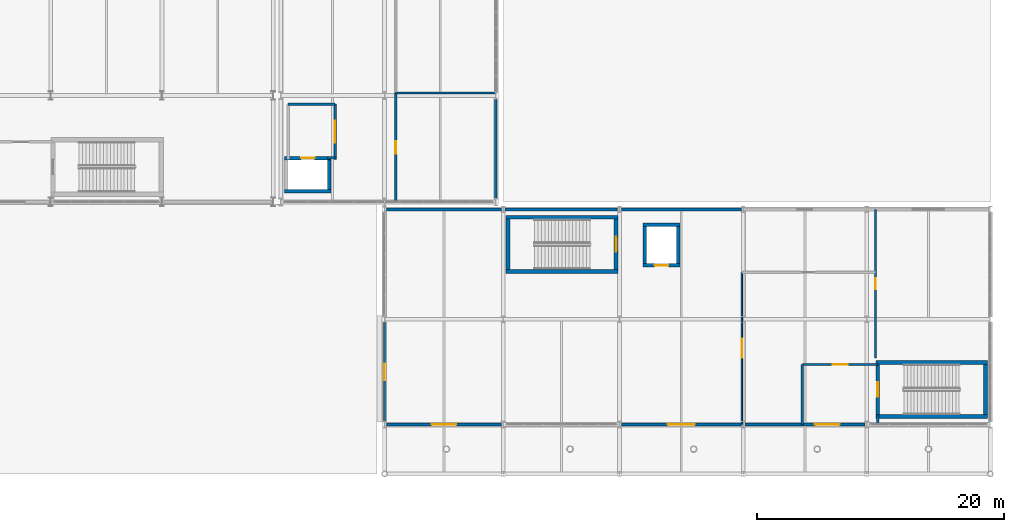
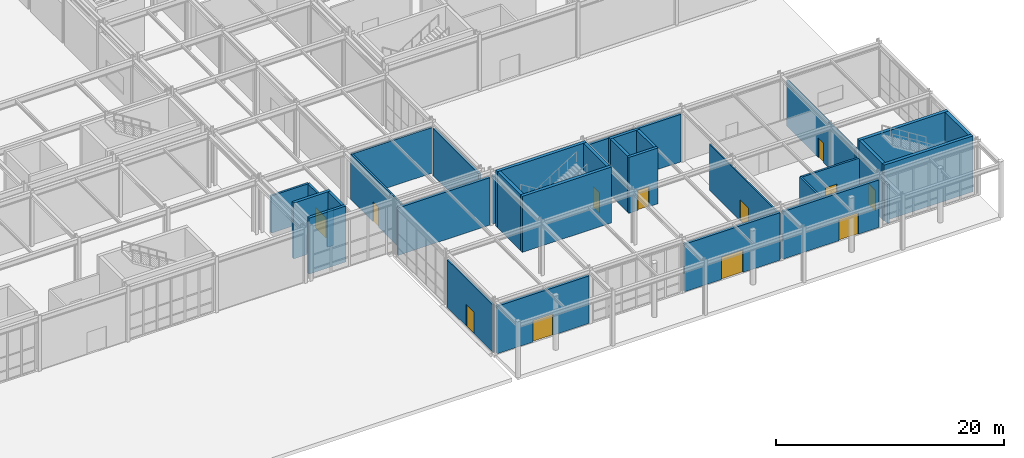
# One storey, part 124 of 146: 33 walls, 13 doors, 13 openings.
"""IFC4 building model written with IfcOpenShell, lengths in metres."""

from ifc_helpers import new_model, si_unit, direction, frame, frame_2d, origin, place, context, subcontext, project, spatial, rectangle, extrude, material, layer, layer_set, type_object, element, fill, save


model = new_model("IFC4")

# Units and contexts
model_context = context("Model", 3, precision=1e-05, world=origin(), true_north=direction((0.0, 1.0)))
body_context = subcontext(model_context, "Body", "Model", "MODEL_VIEW")
ifc_project = project(units=[si_unit("LENGTHUNIT", "METRE"), si_unit("AREAUNIT", "SQUARE_METRE"), si_unit("VOLUMEUNIT", "CUBIC_METRE"), si_unit("PLANEANGLEUNIT", "RADIAN"), si_unit("MASSUNIT", "GRAM", prefix="KILO")], contexts=[model_context])

# Site, building, storey
site_placement = place(None, origin())
site = spatial("IfcSite", under=ifc_project, at=site_placement, CompositionType="ELEMENT")
building_placement = place(site_placement, origin())
building = spatial("IfcBuilding", under=site, at=building_placement, Name="Kaldris Quays Convention Centre", CompositionType="ELEMENT")
storey_placement = place(building_placement, origin())
storey = spatial("IfcBuildingStorey", under=building, at=storey_placement, Name="L00", CompositionType="ELEMENT", Elevation=0.0)

# Wall, opening, door
ifc_material_1 = material(Name="Basalt stone ashlar cladding", Category="masonry")
ifc_layer_1 = layer(ifc_material_1, 0.241943359375)
ifc_layer_set_1 = layer_set([ifc_layer_1], Name="Basalt stone ashlar cladding")
wall_type_1 = type_object("IfcWallType", Name="EXTERIOR WALL EW05", PredefinedType="STANDARD", material=ifc_layer_set_1)
wall_1_placement = place(storey_placement, frame((155.14599609375, 20.0, 0.0), z_axis=(0.0, 0.0, 1.0), x_axis=(1.0, 0.0, 0.0)))
wall_1 = element("IfcWall", 1, at=wall_1_placement, inside=storey, type_object=wall_type_1, Name="L00 Exterior Wall EW05 360", PredefinedType="STANDARD", context=body_context, shape_type="SweptSolid", body=[
    extrude(rectangle(XDim=9.30810546875, YDim=0.241943359375, at=frame_2d((4.654052734375, 0.0))), origin(), (0.0, 0.0, 1.0), 5.10009765625),
])
opening_1_placement = place(wall_1_placement, frame((3.654052734375, 0.0, 0.0)))
opening_1 = element("IfcOpeningElement", 2, at=opening_1_placement, cuts=wall_1, Name="Opening ED01", PredefinedType="OPENING", context=body_context, shape_type="SweptSolid", body=[
    extrude(rectangle(XDim=2.0, YDim=2.300048828125, at=frame_2d((1.0, 1.14990234375))), frame((0.0, 0.130859375, 0.0), z_axis=(0.0, -1.0, 0.0), x_axis=(1.0, 0.0, 0.0)), (0.0, 0.0, 1.0), 0.261962890625),
])
ifc_material_2 = material(Name="Thermally broken anodized aluminium and laminated safety glass", Category="aluminium")
door_type_1 = type_object("IfcDoorType", Name="EXTERIOR DOOR ED01", OperationType="DOUBLE_DOOR_SINGLE_SWING", PredefinedType="DOOR", material=ifc_material_2)
door_1_placement = place(opening_1_placement, frame((2.0, 0.0, 0.0), z_axis=(0.0, 0.0, 1.0), x_axis=(-1.0, 0.0, 0.0)))
door_1 = element("IfcDoor", 3, at=door_1_placement, inside=storey, type_object=door_type_1, Name="L00 Exterior Exit Door ED01 37", OperationType="DOUBLE_DOOR_SINGLE_SWING", OverallHeight=2.300048828125, OverallWidth=2.0, PredefinedType="DOOR", context=body_context, shape_type="SweptSolid", body=[
    extrude(rectangle(XDim=2.0, YDim=2.300048828125, at=frame_2d((1.0, 1.14990234375))), frame((0.0, 0.02490234375, 0.0), z_axis=(0.0, -1.0, 0.0), x_axis=(1.0, 0.0, 0.0)), (0.0, 0.0, 1.0), 0.050048828125),
])
fill(opening_1, door_1)

# Walls
wall_2_placement = place(storey_placement, frame((155.14599609375, 37.39990234375, 0.0), z_axis=(0.0, 0.0, 1.0), x_axis=(1.0, 0.0, 0.0)))
element("IfcWall", 4, at=wall_2_placement, inside=storey, type_object=wall_type_1, Name="L00 Exterior Wall EW05 361", PredefinedType="STANDARD", context=body_context, shape_type="SweptSolid", body=[
    extrude(rectangle(XDim=9.30810546875, YDim=0.241943359375, at=frame_2d((4.654052734375, 0.0))), origin(), (0.0, 0.0, 1.0), 5.10009765625),
])
wall_3_placement = place(storey_placement, frame((164.74609375, 37.39990234375, 0.0), z_axis=(0.0, 0.0, 1.0), x_axis=(1.0, 0.0, 0.0)))
element("IfcWall", 5, at=wall_3_placement, inside=storey, type_object=wall_type_1, Name="L00 Exterior Wall EW05 362", PredefinedType="STANDARD", context=body_context, shape_type="SweptSolid", body=[
    extrude(rectangle(XDim=9.10791015625, YDim=0.241943359375, at=frame_2d((4.553955078125, 0.0))), origin(), (0.0, 0.0, 1.0), 5.10009765625),
])

# Wall, opening, door
wall_4_placement = place(storey_placement, frame((174.14599609375, 20.0, 0.0), z_axis=(0.0, 0.0, 1.0), x_axis=(1.0, 0.0, 0.0)))
wall_4 = element("IfcWall", 6, at=wall_4_placement, inside=storey, type_object=wall_type_1, Name="L00 Exterior Wall EW05 363", PredefinedType="STANDARD", context=body_context, shape_type="SweptSolid", body=[
    extrude(rectangle(XDim=9.7080078125, YDim=0.241943359375, at=frame_2d((4.85400390625, 0.0))), origin(), (0.0, 0.0, 1.0), 5.10009765625),
])
opening_2_placement = place(wall_4_placement, frame((3.75390625, 0.0, 0.0)))
opening_2 = element("IfcOpeningElement", 7, at=opening_2_placement, cuts=wall_4, Name="Opening ED02", PredefinedType="OPENING", context=body_context, shape_type="SweptSolid", body=[
    extrude(rectangle(XDim=2.199951171875, YDim=2.39990234375, at=frame_2d((1.10009765625, 1.199951171875))), frame((0.0, 0.130859375, 0.0), z_axis=(0.0, -1.0, 0.0), x_axis=(1.0, 0.0, 0.0)), (0.0, 0.0, 1.0), 0.261962890625),
])
door_type_2 = type_object("IfcDoorType", Name="EXTERIOR DOOR ED02", OperationType="DOUBLE_DOOR_SINGLE_SWING", PredefinedType="DOOR", material=ifc_material_2)
door_2_placement = place(opening_2_placement, frame((2.199951171875, 0.0, 0.0), z_axis=(0.0, 0.0, 1.0), x_axis=(-1.0, 0.0, 0.0)))
door_2 = element("IfcDoor", 8, at=door_2_placement, inside=storey, type_object=door_type_2, Name="L00 Exterior Exit Door ED02 38", OperationType="DOUBLE_DOOR_SINGLE_SWING", OverallHeight=2.39990234375, OverallWidth=2.199951171875, PredefinedType="DOOR", context=body_context, shape_type="SweptSolid", body=[
    extrude(rectangle(XDim=2.199951171875, YDim=2.39990234375, at=frame_2d((1.10009765625, 1.199951171875))), frame((0.0, 0.02490234375, 0.0), z_axis=(0.0, -1.0, 0.0), x_axis=(1.0, 0.0, 0.0)), (0.0, 0.0, 1.0), 0.050048828125),
])
fill(opening_2, door_2)

# Wall
wall_5_placement = place(storey_placement, frame((174.14599609375, 37.39990234375, 0.0), z_axis=(0.0, 0.0, 1.0), x_axis=(1.0, 0.0, 0.0)))
element("IfcWall", 9, at=wall_5_placement, inside=storey, type_object=wall_type_1, Name="L00 Exterior Wall EW05 364", PredefinedType="STANDARD", context=body_context, shape_type="SweptSolid", body=[
    extrude(rectangle(XDim=9.7080078125, YDim=0.241943359375, at=frame_2d((4.85400390625, 0.0))), origin(), (0.0, 0.0, 1.0), 5.10009765625),
])

# Wall, opening, door
wall_6_placement = place(storey_placement, frame((184.14599609375, 20.0, 0.0), z_axis=(0.0, 0.0, 1.0), x_axis=(1.0, 0.0, 0.0)))
wall_6 = element("IfcWall", 10, at=wall_6_placement, inside=storey, type_object=wall_type_1, Name="L00 Exterior Wall EW05 365", PredefinedType="STANDARD", context=body_context, shape_type="SweptSolid", body=[
    extrude(rectangle(XDim=9.7080078125, YDim=0.241943359375, at=frame_2d((4.85400390625, 0.0))), origin(), (0.0, 0.0, 1.0), 5.10009765625),
])
opening_3_placement = place(wall_6_placement, frame((5.656005859375, 0.0, 0.0)))
opening_3 = element("IfcOpeningElement", 11, at=opening_3_placement, cuts=wall_6, Name="Opening ED01", PredefinedType="OPENING", context=body_context, shape_type="SweptSolid", body=[
    extrude(rectangle(XDim=2.0, YDim=2.300048828125, at=frame_2d((1.0, 1.14990234375))), frame((0.0, 0.130859375, 0.0), z_axis=(0.0, -1.0, 0.0), x_axis=(1.0, 0.0, 0.0)), (0.0, 0.0, 1.0), 0.261962890625),
])
door_3_placement = place(opening_3_placement, frame((2.0, 0.0, 0.0), z_axis=(0.0, 0.0, 1.0), x_axis=(-1.0, 0.0, 0.0)))
door_3 = element("IfcDoor", 12, at=door_3_placement, inside=storey, type_object=door_type_1, Name="L00 Stair ST16 Final Exterior Exit Door ED01", OperationType="DOUBLE_DOOR_SINGLE_SWING", OverallHeight=2.300048828125, OverallWidth=2.0, PredefinedType="DOOR", context=body_context, shape_type="SweptSolid", body=[
    extrude(rectangle(XDim=2.0, YDim=2.300048828125, at=frame_2d((1.0, 1.14990234375))), frame((0.0, 0.02490234375, 0.0), z_axis=(0.0, -1.0, 0.0), x_axis=(1.0, 0.0, 0.0)), (0.0, 0.0, 1.0), 0.050048828125),
])
fill(opening_3, door_3)

# Wall
ifc_material_3 = material(Name="Anodized aluminium insulated cassette", Category="aluminium")
ifc_layer_2 = layer(ifc_material_3, 0.221923828125)
ifc_layer_set_2 = layer_set([ifc_layer_2], Name="Anodized aluminium insulated cassette")
wall_type_2 = type_object("IfcWallType", Name="EXTERIOR WALL EW06", PredefinedType="STANDARD", material=ifc_layer_set_2)
wall_7_placement = place(storey_placement, frame((164.0, 38.2958984375, 0.0), z_axis=(0.0, 0.0, 1.0), x_axis=(0.0, 1.0, 0.0)))
element("IfcWall", 13, at=wall_7_placement, inside=storey, type_object=wall_type_2, Name="L00 Exterior Wall EW06 268", PredefinedType="STANDARD", context=body_context, shape_type="SweptSolid", body=[
    extrude(rectangle(XDim=8.008056640625, YDim=0.221923828125, at=frame_2d((4.00390625, 0.0))), origin(), (0.0, 0.0, 1.0), 5.097900390625),
])

# Wall, opening, door
ifc_layer_3 = layer(ifc_material_3, 0.18408203125)
ifc_layer_set_3 = layer_set([ifc_layer_3], Name="Anodized aluminium insulated cassette")
wall_type_3 = type_object("IfcWallType", Name="EXTERIOR WALL EW08", PredefinedType="STANDARD", material=ifc_layer_set_3)
wall_8_placement = place(storey_placement, frame((155.0, 20.24609375, 0.0), z_axis=(0.0, 0.0, 1.0), x_axis=(0.0, 1.0, 0.0)))
wall_8 = element("IfcWall", 14, at=wall_8_placement, inside=storey, type_object=wall_type_3, Name="L00 Exterior Wall EW08 368", PredefinedType="STANDARD", context=body_context, shape_type="SweptSolid", body=[
    extrude(rectangle(XDim=8.0078125, YDim=0.18408203125, at=frame_2d((4.00390625, 0.0))), origin(), (0.0, 0.0, 1.0), 5.10009765625),
])
opening_4_placement = place(wall_8_placement, frame((3.3291015625, 0.0, 0.0)))
opening_4 = element("IfcOpeningElement", 15, at=opening_4_placement, cuts=wall_8, Name="Opening ED12", PredefinedType="OPENING", context=body_context, shape_type="SweptSolid", body=[
    extrude(rectangle(XDim=1.35009765625, YDim=2.320068359375, at=frame_2d((0.675048828125, 1.16015625))), frame((0.0, 0.10205078125, 0.0), z_axis=(0.0, -1.0, 0.0), x_axis=(1.0, 0.0, 0.0)), (0.0, 0.0, 1.0), 0.2041015625),
])
door_type_3 = type_object("IfcDoorType", Name="EXTERIOR DOOR ED12", OperationType="NOTDEFINED", PredefinedType="DOOR", material=ifc_material_2)
door_4_placement = place(opening_4_placement, origin())
door_4 = element("IfcDoor", 16, at=door_4_placement, inside=storey, type_object=door_type_3, Name="L00 Exterior Exit Door ED12 40", OperationType="SINGLE_SWING_LEFT", OverallHeight=2.320068359375, OverallWidth=1.35009765625, PredefinedType="DOOR", context=body_context, shape_type="SweptSolid", body=[
    extrude(rectangle(XDim=1.35009765625, YDim=2.320068359375, at=frame_2d((0.675048828125, 1.16015625))), frame((0.0, 0.02490234375, 0.0), z_axis=(0.0, -1.0, 0.0), x_axis=(1.0, 0.0, 0.0)), (0.0, 0.0, 1.0), 0.050048828125),
])
fill(opening_4, door_4)

ifc_material_4 = material(Name="Concrete C35/45", Category="concrete")
ifc_layer_4 = layer(ifc_material_4, 0.199951171875)
ifc_layer_set_4 = layer_set([ifc_layer_4], Name="Concrete C35/45")
wall_type_4 = type_object("IfcWallType", Name="INTERIOR WALL IW01", PredefinedType="PARTITIONING", material=ifc_layer_set_4)
wall_9_placement = place(storey_placement, frame((188.800048828125, 24.85009765625, 0.0), z_axis=(0.0, 0.0, 1.0), x_axis=(1.0, 0.0, 0.0)))
wall_9 = element("IfcWall", 17, at=wall_9_placement, inside=storey, type_object=wall_type_4, Name="L00 Protected Exit Lobby ST16 Fire Wall", PredefinedType="PARTITIONING", context=body_context, shape_type="SweptSolid", body=[
    extrude(rectangle(XDim=6.08984375, YDim=0.199951171875, at=frame_2d((3.044921875, 0.0))), origin(), (0.0, 0.0, 1.0), 4.199951171875),
])
opening_5_placement = place(wall_9_placement, frame((2.445068359375, 0.0, 0.0)))
opening_5 = element("IfcOpeningElement", 18, at=opening_5_placement, cuts=wall_9, Name="Opening ID03", PredefinedType="OPENING", context=body_context, shape_type="SweptSolid", body=[
    extrude(rectangle(XDim=1.199951171875, YDim=2.199951171875, at=frame_2d((0.60009765625, 1.10009765625))), frame((0.0, 0.10986328125, 0.0), z_axis=(0.0, -1.0, 0.0), x_axis=(1.0, 0.0, 0.0)), (0.0, 0.0, 1.0), 0.219970703125),
])
ifc_material_5 = material(Name="Steel S355J2 fire-resisting door", Category="steel")
door_type_4 = type_object("IfcDoorType", Name="INTERIOR DOOR ID03", OperationType="NOTDEFINED", PredefinedType="DOOR", material=ifc_material_5)
door_5_placement = place(opening_5_placement, frame((1.199951171875, 0.0, 0.0), z_axis=(0.0, 0.0, 1.0), x_axis=(-1.0, 0.0, 0.0)))
door_5 = element("IfcDoor", 19, at=door_5_placement, inside=storey, type_object=door_type_4, Name="L00 Protected Exit Lobby ST16 Entry Fire Door", OperationType="SINGLE_SWING_RIGHT", OverallHeight=2.199951171875, OverallWidth=1.199951171875, PredefinedType="DOOR", context=body_context, shape_type="SweptSolid", body=[
    extrude(rectangle(XDim=1.199951171875, YDim=2.199951171875, at=frame_2d((0.60009765625, 1.10009765625))), frame((0.0, 0.02490234375, 0.0), z_axis=(0.0, -1.0, 0.0), x_axis=(1.0, 0.0, 0.0)), (0.0, 0.0, 1.0), 0.050048828125),
])
fill(opening_5, door_5)

# Walls
wall_10_placement = place(storey_placement, frame((188.800048828125, 20.0, 0.0), z_axis=(0.0, 0.0, 1.0), x_axis=(0.0, 1.0, 0.0)))
element("IfcWall", 20, at=wall_10_placement, inside=storey, type_object=wall_type_4, Name="L00 Protected Exit Lobby ST16 Side Wall 1", PredefinedType="PARTITIONING", context=body_context, shape_type="SweptSolid", body=[
    extrude(rectangle(XDim=4.85009765625, YDim=0.199951171875, at=frame_2d((2.425048828125, 0.0))), origin(), (0.0, 0.0, 1.0), 4.199951171875),
])
wall_11_placement = place(storey_placement, frame((194.889892578125, 20.0, 0.0), z_axis=(0.0, 0.0, 1.0), x_axis=(0.0, 1.0, 0.0)))
element("IfcWall", 21, at=wall_11_placement, inside=storey, type_object=wall_type_4, Name="L00 Protected Exit Lobby ST16 Side Wall 2", PredefinedType="PARTITIONING", context=body_context, shape_type="SweptSolid", body=[
    extrude(rectangle(XDim=0.800048828125, YDim=0.199951171875, at=frame_2d((0.39990234375, 0.0))), origin(), (0.0, 0.0, 1.0), 4.199951171875),
])

# Wall, opening, door
wall_12_placement = place(storey_placement, frame((151.0, 41.449951171875, 0.0), z_axis=(0.0, 0.0, 1.0), x_axis=(0.0, 1.0, 0.0)))
wall_12 = element("IfcWall", 22, at=wall_12_placement, inside=storey, type_object=wall_type_4, Name="L00 Firefighting Lift Lobby FL02 Wall E", PredefinedType="PARTITIONING", context=body_context, shape_type="SweptSolid", body=[
    extrude(rectangle(XDim=4.449951171875, YDim=0.199951171875, at=frame_2d((2.22509765625, 0.0))), origin(), (0.0, 0.0, 1.0), 4.0),
])
opening_6_placement = place(wall_12_placement, frame((1.324951171875, 0.0, 0.0)))
opening_6 = element("IfcOpeningElement", 23, at=opening_6_placement, cuts=wall_12, Name="Opening ID02", PredefinedType="OPENING", context=body_context, shape_type="SweptSolid", body=[
    extrude(rectangle(XDim=1.800048828125, YDim=2.199951171875, at=frame_2d((0.89990234375, 1.10009765625))), frame((0.0, 0.10986328125, 0.0), z_axis=(0.0, -1.0, 0.0), x_axis=(1.0, 0.0, 0.0)), (0.0, 0.0, 1.0), 0.219970703125),
])
door_type_5 = type_object("IfcDoorType", Name="INTERIOR DOOR ID02", OperationType="DOUBLE_DOOR_SINGLE_SWING", PredefinedType="DOOR", material=ifc_material_5)
door_6_placement = place(opening_6_placement, frame((1.800048828125, 0.0, 0.0), z_axis=(0.0, 0.0, 1.0), x_axis=(-1.0, 0.0, 0.0)))
door_6 = element("IfcDoor", 24, at=door_6_placement, inside=storey, type_object=door_type_5, Name="L00 Firefighting Lift Lobby FL02 Fire Door", OperationType="DOUBLE_DOOR_SINGLE_SWING", OverallHeight=2.199951171875, OverallWidth=1.800048828125, PredefinedType="DOOR", context=body_context, shape_type="SweptSolid", body=[
    extrude(rectangle(XDim=1.800048828125, YDim=2.199951171875, at=frame_2d((0.89990234375, 1.10009765625))), frame((0.0, 0.02490234375, 0.0), z_axis=(0.0, -1.0, 0.0), x_axis=(1.0, 0.0, 0.0)), (0.0, 0.0, 1.0), 0.050048828125),
])
fill(opening_6, door_6)

# Walls
wall_13_placement = place(storey_placement, frame((147.199951171875, 45.89990234375, 0.0), z_axis=(0.0, 0.0, 1.0), x_axis=(1.0, 0.0, 0.0)))
element("IfcWall", 25, at=wall_13_placement, inside=storey, type_object=wall_type_4, Name="L00 Firefighting Lift Lobby FL02 Wall N", PredefinedType="PARTITIONING", context=body_context, shape_type="SweptSolid", body=[
    extrude(rectangle(XDim=3.800048828125, YDim=0.199951171875, at=frame_2d((1.89990234375, 0.0))), origin(), (0.0, 0.0, 1.0), 4.0),
])
wall_14_placement = place(storey_placement, frame((150.39990234375, 41.56005859375, 0.0), z_axis=(0.0, 0.0, 1.0), x_axis=(1.0, 0.0, 0.0)))
element("IfcWall", 26, at=wall_14_placement, inside=storey, type_object=wall_type_4, Name="L00 Firefighting Lift Lobby FL02 Wall S", PredefinedType="PARTITIONING", context=body_context, shape_type="SweptSolid", body=[
    extrude(rectangle(XDim=0.60009765625, YDim=0.199951171875, at=frame_2d((0.300048828125, 0.0))), origin(), (0.0, 0.0, 1.0), 4.0),
])

# Wall, opening, door
ifc_material_6 = material(Name="Acoustic gypsum stud partition", Category="gypsum")
ifc_layer_5 = layer(ifc_material_6, 0.177978515625)
ifc_layer_set_5 = layer_set([ifc_layer_5], Name="Acoustic gypsum stud partition")
wall_type_5 = type_object("IfcWallType", Name="INTERIOR WALL IW02", PredefinedType="PARTITIONING", material=ifc_layer_set_5)
wall_15_placement = place(storey_placement, frame((155.89990234375, 38.0, 0.0), z_axis=(0.0, 0.0, 1.0), x_axis=(0.0, 1.0, 0.0)))
wall_15 = element("IfcWall", 27, at=wall_15_placement, inside=storey, type_object=wall_type_5, Name="L00 Interior Wall IW02 31", PredefinedType="PARTITIONING", context=body_context, shape_type="SweptSolid", body=[
    extrude(rectangle(XDim=8.800048828125, YDim=0.177978515625, at=frame_2d((4.39990234375, 0.0))), origin(), (0.0, 0.0, 1.0), 4.89990234375),
])
opening_7_placement = place(wall_15_placement, frame((3.909912109375, 0.0, 0.0)))
opening_7 = element("IfcOpeningElement", 28, at=opening_7_placement, cuts=wall_15, Name="Opening ID13", PredefinedType="OPENING", context=body_context, shape_type="SweptSolid", body=[
    extrude(rectangle(XDim=0.97998046875, YDim=2.139892578125, at=frame_2d((0.489990234375, 1.06982421875))), frame((0.0, 0.09912109375, 0.0), z_axis=(0.0, -1.0, 0.0), x_axis=(1.0, 0.0, 0.0)), (0.0, 0.0, 1.0), 0.197998046875),
])
ifc_material_7 = material(Name="SIA 500 accessible sanitary room door", Category="wood")
door_type_6 = type_object("IfcDoorType", Name="INTERIOR DOOR ID13", OperationType="NOTDEFINED", PredefinedType="DOOR", material=ifc_material_7)
door_7_placement = place(opening_7_placement, origin())
door_7 = element("IfcDoor", 29, at=door_7_placement, inside=storey, type_object=door_type_6, Name="L00 Interior Door ID13 23", OperationType="SINGLE_SWING_RIGHT", OverallHeight=2.139892578125, OverallWidth=0.97998046875, PredefinedType="DOOR", context=body_context, shape_type="SweptSolid", body=[
    extrude(rectangle(XDim=0.97998046875, YDim=2.139892578125, at=frame_2d((0.489990234375, 1.06982421875))), frame((0.0, 0.02490234375, 0.0), z_axis=(0.0, -1.0, 0.0), x_axis=(1.0, 0.0, 0.0)), (0.0, 0.0, 1.0), 0.050048828125),
])
fill(opening_7, door_7)

# Wall
wall_16_placement = place(storey_placement, frame((155.89990234375, 46.800048828125, 0.0), z_axis=(0.0, 0.0, 1.0), x_axis=(1.0, 0.0, 0.0)))
element("IfcWall", 30, at=wall_16_placement, inside=storey, type_object=wall_type_5, Name="L00 Interior Wall IW02 32", PredefinedType="PARTITIONING", context=body_context, shape_type="SweptSolid", body=[
    extrude(rectangle(XDim=8.10009765625, YDim=0.177978515625, at=frame_2d((4.050048828125, 0.0))), origin(), (0.0, 0.0, 1.0), 4.89990234375),
])

# Wall, opening, door
wall_17_placement = place(storey_placement, frame((194.699951171875, 25.35498046875, 0.0), z_axis=(0.0, 0.0, 1.0), x_axis=(0.0, 1.0, 0.0)))
wall_17 = element("IfcWall", 31, at=wall_17_placement, inside=storey, type_object=wall_type_5, Name="L00 Interior Wall IW02 37", PredefinedType="PARTITIONING", context=body_context, shape_type="SweptSolid", body=[
    extrude(rectangle(XDim=12.044921875, YDim=0.177978515625, at=frame_2d((6.0224609375, 0.0))), origin(), (0.0, 0.0, 1.0), 4.89990234375),
])
opening_8_placement = place(wall_17_placement, frame((5.572509765625, 0.0, 0.0)))
opening_8 = element("IfcOpeningElement", 32, at=opening_8_placement, cuts=wall_17, Name="Opening ID12", PredefinedType="OPENING", context=body_context, shape_type="SweptSolid", body=[
    extrude(rectangle(XDim=0.89990234375, YDim=2.080078125, at=frame_2d((0.449951171875, 1.0400390625))), frame((0.0, 0.09912109375, 0.0), z_axis=(0.0, -1.0, 0.0), x_axis=(1.0, 0.0, 0.0)), (0.0, 0.0, 1.0), 0.197998046875),
])
ifc_material_8 = material(Name="Moisture-resistant sanitary room door", Category="wood")
door_type_7 = type_object("IfcDoorType", Name="INTERIOR DOOR ID12", OperationType="NOTDEFINED", PredefinedType="DOOR", material=ifc_material_8)
door_8_placement = place(opening_8_placement, origin())
door_8 = element("IfcDoor", 33, at=door_8_placement, inside=storey, type_object=door_type_7, Name="L00 Interior Door ID12 28", OperationType="SINGLE_SWING_RIGHT", OverallHeight=2.080078125, OverallWidth=0.89990234375, PredefinedType="DOOR", context=body_context, shape_type="SweptSolid", body=[
    extrude(rectangle(XDim=0.89990234375, YDim=2.080078125, at=frame_2d((0.449951171875, 1.0400390625))), frame((0.0, 0.02490234375, 0.0), z_axis=(0.0, -1.0, 0.0), x_axis=(1.0, 0.0, 0.0)), (0.0, 0.0, 1.0), 0.050048828125),
])
fill(opening_8, door_8)

ifc_layer_6 = layer(ifc_material_6, 0.134033203125)
ifc_layer_set_6 = layer_set([ifc_layer_6], Name="Acoustic gypsum stud partition")
wall_type_6 = type_object("IfcWallType", Name="INTERIOR WALL IW05", PredefinedType="PARTITIONING", material=ifc_layer_set_6)
wall_18_placement = place(storey_placement, frame((183.89990234375, 20.0, 0.0), z_axis=(0.0, 0.0, 1.0), x_axis=(0.0, 1.0, 0.0)))
wall_18 = element("IfcWall", 34, at=wall_18_placement, inside=storey, type_object=wall_type_6, Name="L00 Interior Wall IW05 35", PredefinedType="PARTITIONING", context=body_context, shape_type="SweptSolid", body=[
    extrude(rectangle(XDim=12.300048828125, YDim=0.134033203125, at=frame_2d((6.14990234375, 0.0))), origin(), (0.0, 0.0, 1.0), 4.89990234375),
])
opening_9_placement = place(wall_18_placement, frame((5.3798828125, 0.0, 0.0)))
opening_9 = element("IfcOpeningElement", 35, at=opening_9_placement, cuts=wall_18, Name="Opening ID18", PredefinedType="OPENING", context=body_context, shape_type="SweptSolid", body=[
    extrude(rectangle(XDim=1.5400390625, YDim=2.239990234375, at=frame_2d((0.77001953125, 1.1201171875))), frame((0.0, 0.0771484375, 0.0), z_axis=(0.0, -1.0, 0.0), x_axis=(1.0, 0.0, 0.0)), (0.0, 0.0, 1.0), 0.154052734375),
])
ifc_material_9 = material(Name="Timber boardroom double door", Category="wood")
door_type_8 = type_object("IfcDoorType", Name="INTERIOR DOOR ID18", OperationType="DOUBLE_DOOR_SINGLE_SWING", PredefinedType="DOOR", material=ifc_material_9)
door_9_placement = place(opening_9_placement, origin())
door_9 = element("IfcDoor", 36, at=door_9_placement, inside=storey, type_object=door_type_8, Name="L00 Interior Door ID18 26", OperationType="DOUBLE_DOOR_SINGLE_SWING", OverallHeight=2.239990234375, OverallWidth=1.5400390625, PredefinedType="DOOR", context=body_context, shape_type="SweptSolid", body=[
    extrude(rectangle(XDim=1.5400390625, YDim=2.239990234375, at=frame_2d((0.77001953125, 1.1201171875))), frame((0.0, 0.02490234375, 0.0), z_axis=(0.0, -1.0, 0.0), x_axis=(1.0, 0.0, 0.0)), (0.0, 0.0, 1.0), 0.050048828125),
])
fill(opening_9, door_9)

# Walls
ifc_material_10 = material(Name="Concrete C40/50", Category="concrete")
ifc_layer_7 = layer(ifc_material_10, 0.320068359375)
ifc_layer_set_7 = layer_set([ifc_layer_7], Name="Concrete C40/50")
wall_type_7 = type_object("IfcWallType", Name="STRUCTURAL WALL SW02", PredefinedType="SHEAR", material=ifc_layer_set_7)
for number, where, z_axis, x_axis, name in (
    (37, (164.830078125, 32.389892578125, 0.0), (0.0, 0.0, 1.0), (1.0, 0.0, 0.0), "L00 Core Shear Wall CORE-ST15-L00-S"),
    (38, (164.830078125, 36.760009765625, 0.0), (0.0, 0.0, 1.0), (1.0, 0.0, 0.0), "L00 Core Shear Wall CORE-ST15-L00-N"),
):
    element("IfcWall", number, at=place(storey_placement, frame(where, z_axis=z_axis, x_axis=x_axis)), inside=storey, type_object=wall_type_7, Name=name, PredefinedType="SHEAR", context=body_context, shape_type="SweptSolid", body=[
        extrude(rectangle(XDim=9.0400390625, YDim=0.320068359375, at=frame_2d((4.52001953125, 0.0))), origin(), (0.0, 0.0, 1.0), 6.0),
    ])
wall_19_placement = place(storey_placement, frame((164.989990234375, 32.550048828125, 0.0), z_axis=(0.0, 0.0, 1.0), x_axis=(0.0, 1.0, 0.0)))
element("IfcWall", 39, at=wall_19_placement, inside=storey, type_object=wall_type_7, Name="L00 Core Shear Wall CORE-ST15-L00-W", PredefinedType="SHEAR", context=body_context, shape_type="SweptSolid", body=[
    extrude(rectangle(XDim=4.050048828125, YDim=0.320068359375, at=frame_2d((2.02490234375, 0.0))), origin(), (0.0, 0.0, 1.0), 6.0),
])

# Wall, opening, door
wall_20_placement = place(storey_placement, frame((173.7099609375, 32.550048828125, 0.0), z_axis=(0.0, 0.0, 1.0), x_axis=(0.0, 1.0, 0.0)))
wall_20 = element("IfcWall", 40, at=wall_20_placement, inside=storey, type_object=wall_type_7, Name="L00 Core Shear Wall CORE-ST15-L00-E", PredefinedType="SHEAR", context=body_context, shape_type="SweptSolid", body=[
    extrude(rectangle(XDim=4.050048828125, YDim=0.320068359375, at=frame_2d((2.02490234375, 0.0))), origin(), (0.0, 0.0, 1.0), 6.0),
])
opening_10_placement = place(wall_20_placement, frame((1.425048828125, 0.0, 0.0)))
opening_10 = element("IfcOpeningElement", 41, at=opening_10_placement, cuts=wall_20, Name="Opening ID03", PredefinedType="OPENING", context=body_context, shape_type="SweptSolid", body=[
    extrude(rectangle(XDim=1.199951171875, YDim=2.199951171875, at=frame_2d((0.60009765625, 1.10009765625))), frame((0.0, 0.169921875, 0.0), z_axis=(0.0, -1.0, 0.0), x_axis=(1.0, 0.0, 0.0)), (0.0, 0.0, 1.0), 0.340087890625),
])
door_10_placement = place(opening_10_placement, frame((1.199951171875, 0.0, 0.0), z_axis=(0.0, 0.0, 1.0), x_axis=(-1.0, 0.0, 0.0)))
door_10 = element("IfcDoor", 42, at=door_10_placement, inside=storey, type_object=door_type_4, Name="L00 Escape Stair ST15 Fire Door", OperationType="SINGLE_SWING_RIGHT", OverallHeight=2.199951171875, OverallWidth=1.199951171875, PredefinedType="DOOR", context=body_context, shape_type="SweptSolid", body=[
    extrude(rectangle(XDim=1.199951171875, YDim=2.199951171875, at=frame_2d((0.60009765625, 1.10009765625))), frame((0.0, 0.02490234375, 0.0), z_axis=(0.0, -1.0, 0.0), x_axis=(1.0, 0.0, 0.0)), (0.0, 0.0, 1.0), 0.050048828125),
])
fill(opening_10, door_10)

# Walls
for number, where, z_axis, x_axis, name in (
    (43, (194.72998046875, 20.639892578125, 0.0), (0.0, 0.0, 1.0), (1.0, 0.0, 0.0), "L00 Core Shear Wall CORE-ST16-L00-S"),
    (44, (194.72998046875, 25.010009765625, 0.0), (0.0, 0.0, 1.0), (1.0, 0.0, 0.0), "L00 Core Shear Wall CORE-ST16-L00-N"),
):
    element("IfcWall", number, at=place(storey_placement, frame(where, z_axis=z_axis, x_axis=x_axis)), inside=storey, type_object=wall_type_7, Name=name, PredefinedType="SHEAR", context=body_context, shape_type="SweptSolid", body=[
        extrude(rectangle(XDim=9.0400390625, YDim=0.320068359375, at=frame_2d((4.52001953125, 0.0))), origin(), (0.0, 0.0, 1.0), 6.0),
    ])

# Wall, opening, door
wall_21_placement = place(storey_placement, frame((194.889892578125, 20.800048828125, 0.0), z_axis=(0.0, 0.0, 1.0), x_axis=(0.0, 1.0, 0.0)))
wall_21 = element("IfcWall", 45, at=wall_21_placement, inside=storey, type_object=wall_type_7, Name="L00 Core Shear Wall CORE-ST16-L00-W", PredefinedType="SHEAR", context=body_context, shape_type="SweptSolid", body=[
    extrude(rectangle(XDim=4.050048828125, YDim=0.320068359375, at=frame_2d((2.02490234375, 0.0))), origin(), (0.0, 0.0, 1.0), 6.0),
])
opening_11_placement = place(wall_21_placement, frame((1.425048828125, 0.0, 0.0)))
opening_11 = element("IfcOpeningElement", 46, at=opening_11_placement, cuts=wall_21, Name="Opening ID03", PredefinedType="OPENING", context=body_context, shape_type="SweptSolid", body=[
    extrude(rectangle(XDim=1.199951171875, YDim=2.199951171875, at=frame_2d((0.60009765625, 1.10009765625))), frame((0.0, 0.169921875, 0.0), z_axis=(0.0, -1.0, 0.0), x_axis=(1.0, 0.0, 0.0)), (0.0, 0.0, 1.0), 0.340087890625),
])
door_11_placement = place(opening_11_placement, origin())
door_11 = element("IfcDoor", 47, at=door_11_placement, inside=storey, type_object=door_type_4, Name="L00 Escape Stair ST16 Fire Door", OperationType="SINGLE_SWING_LEFT", OverallHeight=2.199951171875, OverallWidth=1.199951171875, PredefinedType="DOOR", context=body_context, shape_type="SweptSolid", body=[
    extrude(rectangle(XDim=1.199951171875, YDim=2.199951171875, at=frame_2d((0.60009765625, 1.10009765625))), frame((0.0, 0.02490234375, 0.0), z_axis=(0.0, -1.0, 0.0), x_axis=(1.0, 0.0, 0.0)), (0.0, 0.0, 1.0), 0.050048828125),
])
fill(opening_11, door_11)

# Walls
wall_22_placement = place(storey_placement, frame((203.610107421875, 20.800048828125, 0.0), z_axis=(0.0, 0.0, 1.0), x_axis=(0.0, 1.0, 0.0)))
element("IfcWall", 48, at=wall_22_placement, inside=storey, type_object=wall_type_7, Name="L00 Core Shear Wall CORE-ST16-L00-E", PredefinedType="SHEAR", context=body_context, shape_type="SweptSolid", body=[
    extrude(rectangle(XDim=4.050048828125, YDim=0.320068359375, at=frame_2d((2.02490234375, 0.0))), origin(), (0.0, 0.0, 1.0), 6.0),
])
ifc_layer_8 = layer(ifc_material_10, 0.280029296875)
ifc_layer_set_8 = layer_set([ifc_layer_8], Name="Concrete C40/50")
wall_type_8 = type_object("IfcWallType", Name="STRUCTURAL WALL SW03", PredefinedType="SHEAR", material=ifc_layer_set_8)
wall_23_placement = place(storey_placement, frame((146.919921875, 38.860107421875, 0.0), z_axis=(0.0, 0.0, 1.0), x_axis=(1.0, 0.0, 0.0)))
element("IfcWall", 49, at=wall_23_placement, inside=storey, type_object=wall_type_8, Name="L00 Core Shear Wall LSHAFT-FL02-L00-S", PredefinedType="SHEAR", context=body_context, shape_type="SweptSolid", body=[
    extrude(rectangle(XDim=3.760009765625, YDim=0.280029296875, at=frame_2d((1.8798828125, 0.0))), origin(), (0.0, 0.0, 1.0), 6.0),
])

# Wall, opening, door
wall_24_placement = place(storey_placement, frame((146.919921875, 41.5400390625, 0.0), z_axis=(0.0, 0.0, 1.0), x_axis=(1.0, 0.0, 0.0)))
wall_24 = element("IfcWall", 50, at=wall_24_placement, inside=storey, type_object=wall_type_8, Name="L00 Core Shear Wall LSHAFT-FL02-L00-N", PredefinedType="SHEAR", context=body_context, shape_type="SweptSolid", body=[
    extrude(rectangle(XDim=3.760009765625, YDim=0.280029296875, at=frame_2d((1.8798828125, 0.0))), origin(), (0.0, 0.0, 1.0), 6.0),
])
opening_12_placement = place(wall_24_placement, frame((1.330078125, 0.0, 0.0)))
opening_12 = element("IfcOpeningElement", 51, at=opening_12_placement, cuts=wall_24, Name="Opening LD01", PredefinedType="OPENING", context=body_context, shape_type="SweptSolid", body=[
    extrude(rectangle(XDim=1.10009765625, YDim=2.14990234375, at=frame_2d((0.550048828125, 1.074951171875))), frame((0.0, 0.14990234375, 0.0), z_axis=(0.0, -1.0, 0.0), x_axis=(1.0, 0.0, 0.0)), (0.0, 0.0, 1.0), 0.300048828125),
])
ifc_material_11 = material(Name="Stainless steel 1.4301 lift landing door", Category="steel")
door_type_9 = type_object("IfcDoorType", Name="INTERIOR DOOR LD01", OperationType="DOUBLE_DOOR_SLIDING", PredefinedType="DOOR", material=ifc_material_11)
door_12_placement = place(opening_12_placement, origin())
door_12 = element("IfcDoor", 52, at=door_12_placement, inside=storey, type_object=door_type_9, Name="L00 FL02 Sliding Lift Landing Door", OperationType="DOUBLE_DOOR_SLIDING", OverallHeight=2.14990234375, OverallWidth=1.10009765625, PredefinedType="DOOR", context=body_context, shape_type="SweptSolid", body=[
    extrude(rectangle(XDim=1.10009765625, YDim=2.14990234375, at=frame_2d((0.550048828125, 1.074951171875))), frame((0.0, 0.02490234375, 0.0), z_axis=(0.0, -1.0, 0.0), x_axis=(1.0, 0.0, 0.0)), (0.0, 0.0, 1.0), 0.050048828125),
])
fill(opening_12, door_12)

# Wall
wall_25_placement = place(storey_placement, frame((150.5400390625, 39.0, 0.0), z_axis=(0.0, 0.0, 1.0), x_axis=(0.0, 1.0, 0.0)))
element("IfcWall", 53, at=wall_25_placement, inside=storey, type_object=wall_type_8, Name="L00 Core Shear Wall LSHAFT-FL02-L00-E", PredefinedType="SHEAR", context=body_context, shape_type="SweptSolid", body=[
    extrude(rectangle(XDim=2.39990234375, YDim=0.280029296875, at=frame_2d((1.199951171875, 0.0))), origin(), (0.0, 0.0, 1.0), 6.0),
])

# Wall, opening, door
wall_26_placement = place(storey_placement, frame((175.919921875, 32.860107421875, 0.0), z_axis=(0.0, 0.0, 1.0), x_axis=(1.0, 0.0, 0.0)))
wall_26 = element("IfcWall", 54, at=wall_26_placement, inside=storey, type_object=wall_type_8, Name="L00 Core Shear Wall LSHAFT-PL02-L00-S", PredefinedType="SHEAR", context=body_context, shape_type="SweptSolid", body=[
    extrude(rectangle(XDim=2.9599609375, YDim=0.280029296875, at=frame_2d((1.47998046875, 0.0))), origin(), (0.0, 0.0, 1.0), 6.0),
])
opening_13_placement = place(wall_26_placement, frame((0.929931640625, 0.0, 0.0)))
opening_13 = element("IfcOpeningElement", 55, at=opening_13_placement, cuts=wall_26, Name="Opening LD01", PredefinedType="OPENING", context=body_context, shape_type="SweptSolid", body=[
    extrude(rectangle(XDim=1.10009765625, YDim=2.14990234375, at=frame_2d((0.550048828125, 1.074951171875))), frame((0.0, 0.14990234375, 0.0), z_axis=(0.0, -1.0, 0.0), x_axis=(1.0, 0.0, 0.0)), (0.0, 0.0, 1.0), 0.300048828125),
])
door_13_placement = place(opening_13_placement, origin())
door_13 = element("IfcDoor", 56, at=door_13_placement, inside=storey, type_object=door_type_9, Name="L00 PL02 Sliding Lift Landing Door", OperationType="DOUBLE_DOOR_SLIDING", OverallHeight=2.14990234375, OverallWidth=1.10009765625, PredefinedType="DOOR", context=body_context, shape_type="SweptSolid", body=[
    extrude(rectangle(XDim=1.10009765625, YDim=2.14990234375, at=frame_2d((0.550048828125, 1.074951171875))), frame((0.0, 0.02490234375, 0.0), z_axis=(0.0, -1.0, 0.0), x_axis=(1.0, 0.0, 0.0)), (0.0, 0.0, 1.0), 0.050048828125),
])
fill(opening_13, door_13)

# Walls
wall_27_placement = place(storey_placement, frame((175.919921875, 36.139892578125, 0.0), z_axis=(0.0, 0.0, 1.0), x_axis=(1.0, 0.0, 0.0)))
element("IfcWall", 57, at=wall_27_placement, inside=storey, type_object=wall_type_8, Name="L00 Core Shear Wall LSHAFT-PL02-L00-N", PredefinedType="SHEAR", context=body_context, shape_type="SweptSolid", body=[
    extrude(rectangle(XDim=2.9599609375, YDim=0.280029296875, at=frame_2d((1.47998046875, 0.0))), origin(), (0.0, 0.0, 1.0), 6.0),
])
for number, where, z_axis, x_axis, name in (
    (58, (176.06005859375, 33.0, 0.0), (0.0, 0.0, 1.0), (0.0, 1.0, 0.0), "L00 Core Shear Wall LSHAFT-PL02-L00-W"),
    (59, (178.739990234375, 33.0, 0.0), (0.0, 0.0, 1.0), (0.0, 1.0, 0.0), "L00 Core Shear Wall LSHAFT-PL02-L00-E"),
):
    element("IfcWall", number, at=place(storey_placement, frame(where, z_axis=z_axis, x_axis=x_axis)), inside=storey, type_object=wall_type_8, Name=name, PredefinedType="SHEAR", context=body_context, shape_type="SweptSolid", body=[
        extrude(rectangle(XDim=3.0, YDim=0.280029296875, at=frame_2d((1.5, 0.0))), origin(), (0.0, 0.0, 1.0), 6.0),
    ])

save(model, "model.ifc")
